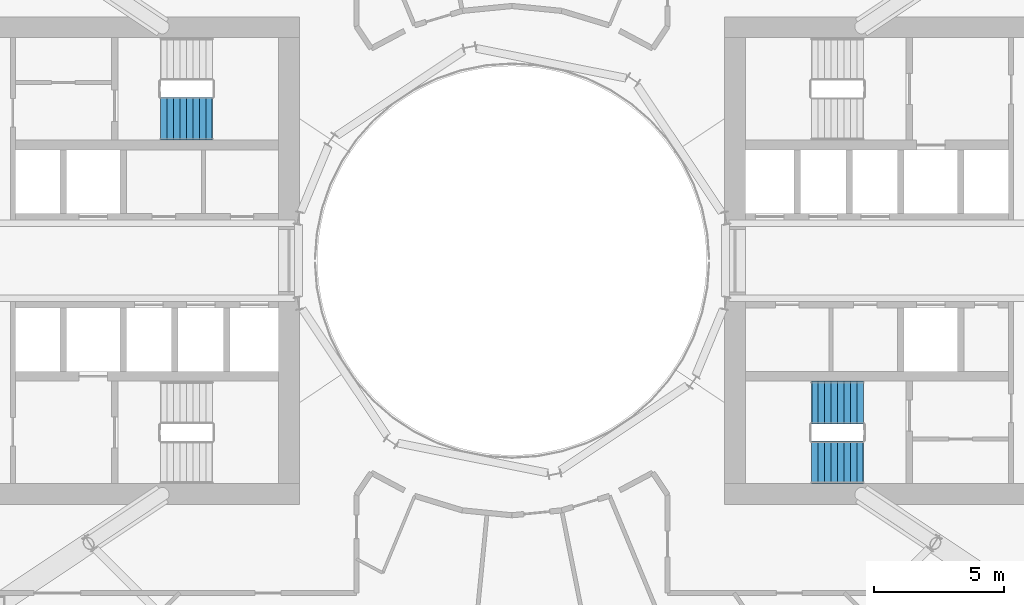
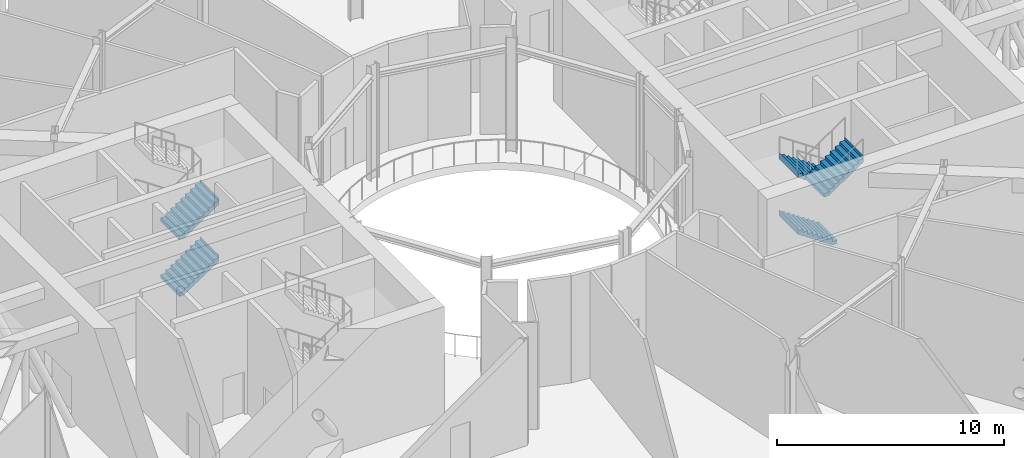
# One storey, part 15 of 22: 5 stair flights, 2 elements without a shape of their own.
"""IFC4 building model written with IfcOpenShell, lengths in metres."""

import ifcopenshell
import ifcopenshell.guid

model = None  # the IFC model being written
_history = None  # IfcOwnerHistory: only IFC2X3 demands one
_inside = {}  # id of a spatial element -> (the spatial element, [elements in it])
_under = {}  # id of a project, library or spatial element -> (it, [spatial elements below it])
_declared = {}  # id of a project -> (the project, [libraries it declares])
_typed = {}  # id of a type object -> (the type object, [elements of that type])
_made_of = {}  # id of a material, layer set ... -> (it, [elements and type objects made of it])


def new_model(schema):
    """Start an empty IFC model of exactly this schema.

    Asked for "IFC4X3", IfcOpenShell would pick the latest addendum, in which some entities
    have other attributes; the version numbers below select the first issue.
    IFC2X3 requires an IfcOwnerHistory on every rooted entity: one is made here for all.
    """
    global model, _history
    if schema == "IFC4X3":
        model = ifcopenshell.file(schema_version=(4, 3, 0, 0))
    else:
        model = ifcopenshell.file(schema=schema)
    _inside.clear()
    _under.clear()
    _declared.clear()
    _typed.clear()
    _made_of.clear()
    _history = None
    if model.schema == "IFC2X3":
        org = make("IfcOrganization", Name="unknown")
        user = make(
            "IfcPersonAndOrganization",
            ThePerson=make("IfcPerson", FamilyName="unknown"),
            TheOrganization=org,
        )
        app = make(
            "IfcApplication",
            ApplicationDeveloper=org,
            Version="unknown",
            ApplicationFullName="unknown",
            ApplicationIdentifier="unknown",
        )
        _history = make(
            "IfcOwnerHistory",
            OwningUser=user,
            OwningApplication=app,
            ChangeAction="ADDED",
            CreationDate=0,
        )
    return model


def make(cls, **values):
    """One entity of the class cls with the attributes given. An attribute that is None is left unset."""
    return model.create_entity(
        cls, **{name: value for name, value in values.items() if value is not None}
    )


def rooted(cls, **values):
    """An entity with a GlobalId (a new one), such as an element, a storey or a relation."""
    return make(cls, GlobalId=ifcopenshell.guid.new(), OwnerHistory=_history, **values)


def si_unit(unit_type, name, prefix=None):
    """IfcSIUnit, for example si_unit("LENGTHUNIT", "METRE", prefix="MILLI")."""
    return make("IfcSIUnit", UnitType=unit_type, Prefix=prefix, Name=name)


def assignment(units):
    """IfcUnitAssignment: the units of a project."""
    return None if units is None else make("IfcUnitAssignment", Units=units)


def point(xyz):
    """IfcCartesianPoint."""
    return None if xyz is None else make("IfcCartesianPoint", Coordinates=xyz)


def direction(xyz):
    """IfcDirection."""
    return None if xyz is None else make("IfcDirection", DirectionRatios=xyz)


def frame(location, z_axis=None, x_axis=None):
    """IfcAxis2Placement3D, a coordinate frame: its origin and axes. An axis left out is left unset."""
    return make(
        "IfcAxis2Placement3D",
        Location=point(location),
        Axis=direction(z_axis),
        RefDirection=direction(x_axis),
    )


def origin():
    """The frame at (0, 0, 0) with its axes left unset."""
    return frame((0.0, 0.0, 0.0))


def place(relative_to, where):
    """IfcLocalPlacement: puts the frame where relative to a parent placement (None: the world)."""
    return make(
        "IfcLocalPlacement", PlacementRelTo=relative_to, RelativePlacement=where
    )


def context(
    kind, dimensions, precision=None, world=None, true_north=None, identifier=None
):
    """IfcGeometricRepresentationContext, for example the 3D "Model" context."""
    return make(
        "IfcGeometricRepresentationContext",
        ContextIdentifier=identifier,
        ContextType=kind,
        CoordinateSpaceDimension=dimensions,
        Precision=precision,
        WorldCoordinateSystem=world,
        TrueNorth=true_north,
    )


def subcontext(parent, identifier, kind, view, scale=None):
    """IfcGeometricRepresentationSubContext, for example "Body" below "Model"."""
    return make(
        "IfcGeometricRepresentationSubContext",
        ContextIdentifier=identifier,
        ContextType=kind,
        ParentContext=parent,
        TargetScale=scale,
        TargetView=view,
    )


def project(units=None, contexts=None):
    """IfcProject with its units and contexts."""
    return rooted(
        "IfcProject",
        Name="project",
        RepresentationContexts=contexts,
        UnitsInContext=assignment(units),
    )


def spatial(cls, under=None, at=None, **own):
    """A site, building, storey or space (cls), placed at a placement, below another one or the project."""
    s = rooted(cls, ObjectPlacement=at, **own)
    if under is not None:
        _under.setdefault(under.id(), (under, []))[1].append(s)
    return s


def point_list(points):
    """IfcCartesianPointList2D or 3D."""
    cls = (
        "IfcCartesianPointList2D" if len(points[0]) == 2 else "IfcCartesianPointList3D"
    )
    return make(cls, CoordList=points)


def triangles(points, corners, closed=None, point_numbers=None):
    """IfcTriangulatedFaceSet: each triangle names its three corners, points numbered from 1."""
    return make(
        "IfcTriangulatedFaceSet",
        Coordinates=point_list(points),
        Closed=closed,
        CoordIndex=corners,
        PnIndex=point_numbers,
    )


def shape(context_of_items, identifier, shape_type, items):
    """IfcShapeRepresentation: the items that make up one representation, for example the "Body"."""
    return make(
        "IfcShapeRepresentation",
        ContextOfItems=context_of_items,
        RepresentationIdentifier=identifier,
        RepresentationType=shape_type,
        Items=items,
    )


def material(Name=None, Category=None):
    """IfcMaterial."""
    return make("IfcMaterial", Name=Name, Category=Category)


def made_of(thing, what):
    """Note that an element or type object is made of a material, layer set ...; save() writes the relation."""
    if what is not None:
        _made_of.setdefault(what.id(), (what, []))[1].append(thing)
    return thing


def type_object(cls, material=None, **own):
    """A type object (cls), such as IfcWallType, which elements share."""
    return made_of(rooted(cls, **own), material)


def element(
    cls,
    number,
    at=None,
    inside=None,
    cuts=None,
    type_object=None,
    material=None,
    context=None,
    identifier="Body",
    shape_type=None,
    held_by="IfcProductDefinitionShape",
    body=None,
    shapes=None,
    **own,
):
    """One element of the class cls, such as IfcWall. Its Tag is "e" and its number.

    at: its placement. inside: the storey or other place that contains it. cuts: it is an
    opening in that element (IfcRelVoidsElement). A single representation is given by context,
    identifier, shape_type and body (its items); several are given by shapes. held_by: the class
    of the entity that holds the representations. save() writes the other relations.
    """
    e = rooted(cls, Tag="e%d" % number, ObjectPlacement=at, **own)
    if body is not None:
        shapes = [shape(context, identifier, shape_type, body)]
    if shapes is not None:
        e.Representation = make(held_by, Representations=shapes)
    if inside is not None:
        _inside.setdefault(inside.id(), (inside, []))[1].append(e)
    if cuts is not None:
        rooted(
            "IfcRelVoidsElement", RelatingBuildingElement=cuts, RelatedOpeningElement=e
        )
    if type_object is not None:
        _typed.setdefault(type_object.id(), (type_object, []))[1].append(e)
    return made_of(e, material)


def aggregate(whole, parts):
    """IfcRelAggregates: a whole, such as a stair, and the parts it consists of."""
    return rooted("IfcRelAggregates", RelatingObject=whole, RelatedObjects=parts)


def save(model, path):
    """Write the relations noted so far, then the file.

    IfcRelAggregates (storeys below a building ...), IfcRelContainedInSpatialStructure (elements
    in a storey), IfcRelDefinesByType, IfcRelAssociatesMaterial and IfcRelDeclares: one each for
    every whole, place, type object, material and project.
    """
    for whole, parts in _under.values():
        aggregate(whole, parts)
    for where, things in _inside.values():
        rooted(
            "IfcRelContainedInSpatialStructure",
            RelatedElements=things,
            RelatingStructure=where,
        )
    for kind, things in _typed.values():
        rooted("IfcRelDefinesByType", RelatedObjects=things, RelatingType=kind)
    for what, things in _made_of.values():
        rooted("IfcRelAssociatesMaterial", RelatedObjects=things, RelatingMaterial=what)
    for by, libraries in _declared.values():
        rooted("IfcRelDeclares", RelatingContext=by, RelatedDefinitions=libraries)
    model.write(path)


model = new_model("IFC4")

# Units and contexts
model_context = context("Model", 3, precision=1e-05, world=origin(), true_north=direction((0.0, 1.0)))
body_context = subcontext(model_context, "Body", "Model", "MODEL_VIEW")
ifc_project = project(units=[si_unit("LENGTHUNIT", "METRE"), si_unit("AREAUNIT", "SQUARE_METRE"), si_unit("VOLUMEUNIT", "CUBIC_METRE"), si_unit("PLANEANGLEUNIT", "RADIAN"), si_unit("MASSUNIT", "GRAM", prefix="KILO")], contexts=[model_context])

# Site, building, storey
site_placement = place(None, origin())
site = spatial("IfcSite", under=ifc_project, at=site_placement, CompositionType="ELEMENT")
building_placement = place(site_placement, origin())
building = spatial("IfcBuilding", under=site, at=building_placement, Name="Maasbend Ring Residences", CompositionType="ELEMENT")
storey_placement = place(building_placement, frame((0.0, 0.0, 57.5)))
storey = spatial("IfcBuildingStorey", under=building, at=storey_placement, Name="L16", CompositionType="ELEMENT", Elevation=57.5)

# Stair, stair flights
ifc_material_1 = material(Name="Concrete C40/50", Category="concrete")
stair_type = type_object("IfcStairType", Name="CORE STAIR 36 RISERS", PredefinedType="HALF_TURN_STAIR", material=ifc_material_1)
stair_1_placement = place(storey_placement, origin())
stair_1 = element("IfcStair", 1, at=stair_1_placement, inside=storey, type_object=stair_type, Name="L16 Exit stair ST-E2", PredefinedType="HALF_TURN_STAIR")
ifc_material_2 = material(Name="Concrete C40/50", Category="concrete")
stair_flight_type = type_object("IfcStairFlightType", Name="CORE STAIR FLIGHT 1650", PredefinedType="STRAIGHT", material=ifc_material_2)
stair_flight_1_placement = place(storey_placement, frame((13.550048828125, -5.47509765625, 0.0), z_axis=(0.0, 0.0, 1.0), x_axis=(-1.0, 0.0, 0.0)))
stair_flight_1 = element("IfcStairFlight", 2, at=stair_flight_1_placement, type_object=stair_flight_type, Name="ST-E2 flight 1", NumberOfRisers=9, NumberOfTreads=8, PredefinedType="STRAIGHT", RiserHeight=0.169444444, TreadLength=0.25, context=body_context, shape_type="Tessellation", body=[
    triangles([(0.24072265625, 0.824951171875, -0.02001953125), (2.0029296875, 0.824951171875, 1.174560546875), (2.0029296875, 0.824951171875, 1.52490234375), (1.989990234375, 0.824951171875, 1.35546875), (1.75, 0.824951171875, 1.35546875), (1.75, 0.824951171875, 1.18603515625), (1.5, 0.824951171875, 1.18603515625), (1.5, 0.824951171875, 1.0166015625), (1.25, 0.824951171875, 1.0166015625), (1.25, 0.824951171875, 0.84716796875), (1.0, 0.824951171875, 0.84716796875), (1.0, 0.824951171875, 0.677734375), (0.75, 0.824951171875, 0.677734375), (0.75, 0.824951171875, 0.50830078125), (0.5, 0.824951171875, 0.50830078125), (0.5, 0.824951171875, 0.3388671875), (0.25, 0.824951171875, 0.3388671875), (0.25, 0.824951171875, 0.16943359375), (0.0, 0.824951171875, 0.16943359375), (0.0, 0.824951171875, 0.0), (-0.0029296875, 0.824951171875, 0.0), (-0.0029296875, 0.824951171875, -0.02001953125), (0.24072265625, 0.27490234375, -0.02001953125), (2.0029296875, 0.27490234375, 1.174560546875), (2.0029296875, 0.27490234375, 1.52490234375), (1.989990234375, 0.27490234375, 1.35546875), (1.75, 0.27490234375, 1.35546875), (1.75, 0.27490234375, 1.18603515625), (1.5, 0.27490234375, 1.18603515625), (1.5, 0.27490234375, 1.0166015625), (1.25, 0.27490234375, 1.0166015625), (1.25, 0.27490234375, 0.84716796875), (1.0, 0.27490234375, 0.84716796875), (1.0, 0.27490234375, 0.677734375), (0.75, 0.27490234375, 0.677734375), (0.75, 0.27490234375, 0.50830078125), (0.5, 0.27490234375, 0.50830078125), (0.5, 0.27490234375, 0.3388671875), (0.25, 0.27490234375, 0.3388671875), (0.25, 0.27490234375, 0.16943359375), (0.0, 0.27490234375, 0.16943359375), (0.0, 0.27490234375, 0.0), (-0.0029296875, 0.27490234375, 0.0), (-0.0029296875, 0.27490234375, -0.02001953125), (0.24072265625, -0.27490234375, -0.02001953125), (2.0029296875, -0.27490234375, 1.174560546875), (2.0029296875, -0.27490234375, 1.52490234375), (1.989990234375, -0.27490234375, 1.35546875), (1.75, -0.27490234375, 1.35546875), (1.75, -0.27490234375, 1.18603515625), (1.5, -0.27490234375, 1.18603515625), (1.5, -0.27490234375, 1.0166015625), (1.25, -0.27490234375, 1.0166015625), (1.25, -0.27490234375, 0.84716796875), (1.0, -0.27490234375, 0.84716796875), (1.0, -0.27490234375, 0.677734375), (0.75, -0.27490234375, 0.677734375), (0.75, -0.27490234375, 0.50830078125), (0.5, -0.27490234375, 0.50830078125), (0.5, -0.27490234375, 0.3388671875), (0.25, -0.27490234375, 0.3388671875), (0.25, -0.27490234375, 0.16943359375), (0.0, -0.27490234375, 0.16943359375), (0.0, -0.27490234375, 0.0), (-0.0029296875, -0.27490234375, 0.0), (-0.0029296875, -0.27490234375, -0.02001953125), (0.24072265625, -0.824951171875, -0.02001953125), (2.0029296875, -0.824951171875, 1.174560546875), (2.0029296875, -0.824951171875, 1.52490234375), (1.989990234375, -0.824951171875, 1.35546875), (1.75, -0.824951171875, 1.35546875), (1.75, -0.824951171875, 1.18603515625), (1.5, -0.824951171875, 1.18603515625), (1.5, -0.824951171875, 1.0166015625), (1.25, -0.824951171875, 1.0166015625), (1.25, -0.824951171875, 0.84716796875), (1.0, -0.824951171875, 0.84716796875), (1.0, -0.824951171875, 0.677734375), (0.75, -0.824951171875, 0.677734375), (0.75, -0.824951171875, 0.50830078125), (0.5, -0.824951171875, 0.50830078125), (0.5, -0.824951171875, 0.3388671875), (0.25, -0.824951171875, 0.3388671875), (0.25, -0.824951171875, 0.16943359375), (0.0, -0.824951171875, 0.16943359375), (0.0, -0.824951171875, 0.0), (-0.0029296875, -0.824951171875, 0.0), (-0.0029296875, -0.824951171875, -0.02001953125)], [[1, 2, 24], [1, 24, 23], [23, 24, 46], [23, 46, 45], [45, 46, 68], [45, 68, 67], [2, 3, 25], [2, 25, 24], [24, 25, 47], [24, 47, 46], [46, 47, 69], [46, 69, 68], [3, 4, 26], [3, 26, 25], [25, 26, 48], [25, 48, 47], [47, 48, 70], [47, 70, 69], [4, 5, 27], [4, 27, 26], [26, 27, 49], [26, 49, 48], [48, 49, 71], [48, 71, 70], [5, 6, 28], [5, 28, 27], [27, 28, 50], [27, 50, 49], [49, 50, 72], [49, 72, 71], [6, 7, 29], [6, 29, 28], [28, 29, 51], [28, 51, 50], [50, 51, 73], [50, 73, 72], [7, 8, 30], [7, 30, 29], [29, 30, 52], [29, 52, 51], [51, 52, 74], [51, 74, 73], [8, 9, 31], [8, 31, 30], [30, 31, 53], [30, 53, 52], [52, 53, 75], [52, 75, 74], [9, 10, 32], [9, 32, 31], [31, 32, 54], [31, 54, 53], [53, 54, 76], [53, 76, 75], [10, 11, 33], [10, 33, 32], [32, 33, 55], [32, 55, 54], [54, 55, 77], [54, 77, 76], [11, 12, 34], [11, 34, 33], [33, 34, 56], [33, 56, 55], [55, 56, 78], [55, 78, 77], [12, 13, 35], [12, 35, 34], [34, 35, 57], [34, 57, 56], [56, 57, 79], [56, 79, 78], [13, 14, 36], [13, 36, 35], [35, 36, 58], [35, 58, 57], [57, 58, 80], [57, 80, 79], [14, 15, 37], [14, 37, 36], [36, 37, 59], [36, 59, 58], [58, 59, 81], [58, 81, 80], [15, 16, 38], [15, 38, 37], [37, 38, 60], [37, 60, 59], [59, 60, 82], [59, 82, 81], [16, 17, 39], [16, 39, 38], [38, 39, 61], [38, 61, 60], [60, 61, 83], [60, 83, 82], [17, 18, 40], [17, 40, 39], [39, 40, 62], [39, 62, 61], [61, 62, 84], [61, 84, 83], [18, 19, 41], [18, 41, 40], [40, 41, 63], [40, 63, 62], [62, 63, 85], [62, 85, 84], [19, 20, 42], [19, 42, 41], [41, 42, 64], [41, 64, 63], [63, 64, 86], [63, 86, 85], [20, 21, 43], [20, 43, 42], [42, 43, 65], [42, 65, 64], [64, 65, 87], [64, 87, 86], [21, 22, 44], [21, 44, 43], [43, 44, 66], [43, 66, 65], [65, 66, 88], [65, 88, 87], [22, 1, 23], [22, 23, 44], [44, 23, 45], [44, 45, 66], [66, 45, 67], [66, 67, 88], [22, 2, 1], [2, 4, 3], [2, 5, 4], [2, 6, 5], [22, 6, 2], [6, 8, 7], [22, 8, 6], [8, 10, 9], [22, 10, 8], [10, 12, 11], [22, 12, 10], [12, 14, 13], [22, 14, 12], [14, 16, 15], [22, 16, 14], [16, 18, 17], [22, 18, 16], [18, 20, 19], [22, 20, 18], [20, 22, 21], [88, 67, 68], [68, 69, 70], [68, 70, 71], [68, 71, 72], [88, 68, 72], [72, 73, 74], [88, 72, 74], [74, 75, 76], [88, 74, 76], [76, 77, 78], [88, 76, 78], [78, 79, 80], [88, 78, 80], [80, 81, 82], [88, 80, 82], [82, 83, 84], [88, 82, 84], [84, 85, 86], [88, 84, 86], [86, 87, 88]], closed=True),
])
stair_flight_2_placement = place(storey_placement, frame((13.550048828125, -5.47509765625, 3.050048828125), z_axis=(0.0, 0.0, 1.0), x_axis=(-1.0, 0.0, 0.0)))
stair_flight_2 = element("IfcStairFlight", 3, at=stair_flight_2_placement, type_object=stair_flight_type, Name="ST-E2 flight 3", NumberOfRisers=9, NumberOfTreads=8, PredefinedType="STRAIGHT", RiserHeight=0.169444444, TreadLength=0.25, context=body_context, shape_type="Tessellation", body=[
    triangles([(0.24072265625, 0.824951171875, -0.02001953125), (2.0029296875, 0.824951171875, 1.174560546875), (2.0029296875, 0.824951171875, 1.52490234375), (1.989990234375, 0.824951171875, 1.35546875), (1.75, 0.824951171875, 1.35546875), (1.75, 0.824951171875, 1.18603515625), (1.5, 0.824951171875, 1.18603515625), (1.5, 0.824951171875, 1.0166015625), (1.25, 0.824951171875, 1.0166015625), (1.25, 0.824951171875, 0.84716796875), (1.0, 0.824951171875, 0.84716796875), (1.0, 0.824951171875, 0.677734375), (0.75, 0.824951171875, 0.677734375), (0.75, 0.824951171875, 0.50830078125), (0.5, 0.824951171875, 0.50830078125), (0.5, 0.824951171875, 0.3388671875), (0.25, 0.824951171875, 0.3388671875), (0.25, 0.824951171875, 0.16943359375), (0.0, 0.824951171875, 0.16943359375), (0.0, 0.824951171875, 0.0), (-0.0029296875, 0.824951171875, 0.0), (-0.0029296875, 0.824951171875, -0.02001953125), (0.24072265625, 0.27490234375, -0.02001953125), (2.0029296875, 0.27490234375, 1.174560546875), (2.0029296875, 0.27490234375, 1.52490234375), (1.989990234375, 0.27490234375, 1.35546875), (1.75, 0.27490234375, 1.35546875), (1.75, 0.27490234375, 1.18603515625), (1.5, 0.27490234375, 1.18603515625), (1.5, 0.27490234375, 1.0166015625), (1.25, 0.27490234375, 1.0166015625), (1.25, 0.27490234375, 0.84716796875), (1.0, 0.27490234375, 0.84716796875), (1.0, 0.27490234375, 0.677734375), (0.75, 0.27490234375, 0.677734375), (0.75, 0.27490234375, 0.50830078125), (0.5, 0.27490234375, 0.50830078125), (0.5, 0.27490234375, 0.3388671875), (0.25, 0.27490234375, 0.3388671875), (0.25, 0.27490234375, 0.16943359375), (0.0, 0.27490234375, 0.16943359375), (0.0, 0.27490234375, 0.0), (-0.0029296875, 0.27490234375, 0.0), (-0.0029296875, 0.27490234375, -0.02001953125), (0.24072265625, -0.27490234375, -0.02001953125), (2.0029296875, -0.27490234375, 1.174560546875), (2.0029296875, -0.27490234375, 1.52490234375), (1.989990234375, -0.27490234375, 1.35546875), (1.75, -0.27490234375, 1.35546875), (1.75, -0.27490234375, 1.18603515625), (1.5, -0.27490234375, 1.18603515625), (1.5, -0.27490234375, 1.0166015625), (1.25, -0.27490234375, 1.0166015625), (1.25, -0.27490234375, 0.84716796875), (1.0, -0.27490234375, 0.84716796875), (1.0, -0.27490234375, 0.677734375), (0.75, -0.27490234375, 0.677734375), (0.75, -0.27490234375, 0.50830078125), (0.5, -0.27490234375, 0.50830078125), (0.5, -0.27490234375, 0.3388671875), (0.25, -0.27490234375, 0.3388671875), (0.25, -0.27490234375, 0.16943359375), (0.0, -0.27490234375, 0.16943359375), (0.0, -0.27490234375, 0.0), (-0.0029296875, -0.27490234375, 0.0), (-0.0029296875, -0.27490234375, -0.02001953125), (0.24072265625, -0.824951171875, -0.02001953125), (2.0029296875, -0.824951171875, 1.174560546875), (2.0029296875, -0.824951171875, 1.52490234375), (1.989990234375, -0.824951171875, 1.35546875), (1.75, -0.824951171875, 1.35546875), (1.75, -0.824951171875, 1.18603515625), (1.5, -0.824951171875, 1.18603515625), (1.5, -0.824951171875, 1.0166015625), (1.25, -0.824951171875, 1.0166015625), (1.25, -0.824951171875, 0.84716796875), (1.0, -0.824951171875, 0.84716796875), (1.0, -0.824951171875, 0.677734375), (0.75, -0.824951171875, 0.677734375), (0.75, -0.824951171875, 0.50830078125), (0.5, -0.824951171875, 0.50830078125), (0.5, -0.824951171875, 0.3388671875), (0.25, -0.824951171875, 0.3388671875), (0.25, -0.824951171875, 0.16943359375), (0.0, -0.824951171875, 0.16943359375), (0.0, -0.824951171875, 0.0), (-0.0029296875, -0.824951171875, 0.0), (-0.0029296875, -0.824951171875, -0.02001953125)], [[1, 2, 24], [1, 24, 23], [23, 24, 46], [23, 46, 45], [45, 46, 68], [45, 68, 67], [2, 3, 25], [2, 25, 24], [24, 25, 47], [24, 47, 46], [46, 47, 69], [46, 69, 68], [3, 4, 26], [3, 26, 25], [25, 26, 48], [25, 48, 47], [47, 48, 70], [47, 70, 69], [4, 5, 27], [4, 27, 26], [26, 27, 49], [26, 49, 48], [48, 49, 71], [48, 71, 70], [5, 6, 28], [5, 28, 27], [27, 28, 50], [27, 50, 49], [49, 50, 72], [49, 72, 71], [6, 7, 29], [6, 29, 28], [28, 29, 51], [28, 51, 50], [50, 51, 73], [50, 73, 72], [7, 8, 30], [7, 30, 29], [29, 30, 52], [29, 52, 51], [51, 52, 74], [51, 74, 73], [8, 9, 31], [8, 31, 30], [30, 31, 53], [30, 53, 52], [52, 53, 75], [52, 75, 74], [9, 10, 32], [9, 32, 31], [31, 32, 54], [31, 54, 53], [53, 54, 76], [53, 76, 75], [10, 11, 33], [10, 33, 32], [32, 33, 55], [32, 55, 54], [54, 55, 77], [54, 77, 76], [11, 12, 34], [11, 34, 33], [33, 34, 56], [33, 56, 55], [55, 56, 78], [55, 78, 77], [12, 13, 35], [12, 35, 34], [34, 35, 57], [34, 57, 56], [56, 57, 79], [56, 79, 78], [13, 14, 36], [13, 36, 35], [35, 36, 58], [35, 58, 57], [57, 58, 80], [57, 80, 79], [14, 15, 37], [14, 37, 36], [36, 37, 59], [36, 59, 58], [58, 59, 81], [58, 81, 80], [15, 16, 38], [15, 38, 37], [37, 38, 60], [37, 60, 59], [59, 60, 82], [59, 82, 81], [16, 17, 39], [16, 39, 38], [38, 39, 61], [38, 61, 60], [60, 61, 83], [60, 83, 82], [17, 18, 40], [17, 40, 39], [39, 40, 62], [39, 62, 61], [61, 62, 84], [61, 84, 83], [18, 19, 41], [18, 41, 40], [40, 41, 63], [40, 63, 62], [62, 63, 85], [62, 85, 84], [19, 20, 42], [19, 42, 41], [41, 42, 64], [41, 64, 63], [63, 64, 86], [63, 86, 85], [20, 21, 43], [20, 43, 42], [42, 43, 65], [42, 65, 64], [64, 65, 87], [64, 87, 86], [21, 22, 44], [21, 44, 43], [43, 44, 66], [43, 66, 65], [65, 66, 88], [65, 88, 87], [22, 1, 23], [22, 23, 44], [44, 23, 45], [44, 45, 66], [66, 45, 67], [66, 67, 88], [22, 2, 1], [2, 4, 3], [2, 5, 4], [2, 6, 5], [22, 6, 2], [6, 8, 7], [22, 8, 6], [8, 10, 9], [22, 10, 8], [10, 12, 11], [22, 12, 10], [12, 14, 13], [22, 14, 12], [14, 16, 15], [22, 16, 14], [16, 18, 17], [22, 18, 16], [18, 20, 19], [22, 20, 18], [20, 22, 21], [88, 67, 68], [68, 69, 70], [68, 70, 71], [68, 71, 72], [88, 68, 72], [72, 73, 74], [88, 72, 74], [74, 75, 76], [88, 74, 76], [76, 77, 78], [88, 76, 78], [78, 79, 80], [88, 78, 80], [80, 81, 82], [88, 80, 82], [82, 83, 84], [88, 82, 84], [84, 85, 86], [88, 84, 86], [86, 87, 88]], closed=True),
])
stair_flight_3_placement = place(storey_placement, frame((11.550048828125, -7.77490234375, 4.574951171875), z_axis=(0.0, 0.0, 1.0), x_axis=(1.0, 0.0, 0.0)))
stair_flight_3 = element("IfcStairFlight", 4, at=stair_flight_3_placement, type_object=stair_flight_type, Name="ST-E2 flight 4", NumberOfRisers=9, NumberOfTreads=8, PredefinedType="STRAIGHT", RiserHeight=0.169444444, TreadLength=0.25, context=body_context, shape_type="Tessellation", body=[
    triangles([(0.24072265625, 0.824951171875, -0.02001953125), (2.0029296875, 0.824951171875, 1.174560546875), (2.0029296875, 0.824951171875, 1.52490234375), (1.989990234375, 0.824951171875, 1.35546875), (1.75, 0.824951171875, 1.35546875), (1.75, 0.824951171875, 1.18603515625), (1.5, 0.824951171875, 1.18603515625), (1.5, 0.824951171875, 1.0166015625), (1.25, 0.824951171875, 1.0166015625), (1.25, 0.824951171875, 0.84716796875), (1.0, 0.824951171875, 0.84716796875), (1.0, 0.824951171875, 0.677734375), (0.75, 0.824951171875, 0.677734375), (0.75, 0.824951171875, 0.50830078125), (0.5, 0.824951171875, 0.50830078125), (0.5, 0.824951171875, 0.3388671875), (0.25, 0.824951171875, 0.3388671875), (0.25, 0.824951171875, 0.16943359375), (0.0, 0.824951171875, 0.16943359375), (0.0, 0.824951171875, 0.0), (-0.0029296875, 0.824951171875, 0.0), (-0.0029296875, 0.824951171875, -0.02001953125), (0.24072265625, 0.27490234375, -0.02001953125), (2.0029296875, 0.27490234375, 1.174560546875), (2.0029296875, 0.27490234375, 1.52490234375), (1.989990234375, 0.27490234375, 1.35546875), (1.75, 0.27490234375, 1.35546875), (1.75, 0.27490234375, 1.18603515625), (1.5, 0.27490234375, 1.18603515625), (1.5, 0.27490234375, 1.0166015625), (1.25, 0.27490234375, 1.0166015625), (1.25, 0.27490234375, 0.84716796875), (1.0, 0.27490234375, 0.84716796875), (1.0, 0.27490234375, 0.677734375), (0.75, 0.27490234375, 0.677734375), (0.75, 0.27490234375, 0.50830078125), (0.5, 0.27490234375, 0.50830078125), (0.5, 0.27490234375, 0.3388671875), (0.25, 0.27490234375, 0.3388671875), (0.25, 0.27490234375, 0.16943359375), (0.0, 0.27490234375, 0.16943359375), (0.0, 0.27490234375, 0.0), (-0.0029296875, 0.27490234375, 0.0), (-0.0029296875, 0.27490234375, -0.02001953125), (0.24072265625, -0.27490234375, -0.02001953125), (2.0029296875, -0.27490234375, 1.174560546875), (2.0029296875, -0.27490234375, 1.52490234375), (1.989990234375, -0.27490234375, 1.35546875), (1.75, -0.27490234375, 1.35546875), (1.75, -0.27490234375, 1.18603515625), (1.5, -0.27490234375, 1.18603515625), (1.5, -0.27490234375, 1.0166015625), (1.25, -0.27490234375, 1.0166015625), (1.25, -0.27490234375, 0.84716796875), (1.0, -0.27490234375, 0.84716796875), (1.0, -0.27490234375, 0.677734375), (0.75, -0.27490234375, 0.677734375), (0.75, -0.27490234375, 0.50830078125), (0.5, -0.27490234375, 0.50830078125), (0.5, -0.27490234375, 0.3388671875), (0.25, -0.27490234375, 0.3388671875), (0.25, -0.27490234375, 0.16943359375), (0.0, -0.27490234375, 0.16943359375), (0.0, -0.27490234375, 0.0), (-0.0029296875, -0.27490234375, 0.0), (-0.0029296875, -0.27490234375, -0.02001953125), (0.24072265625, -0.824951171875, -0.02001953125), (2.0029296875, -0.824951171875, 1.174560546875), (2.0029296875, -0.824951171875, 1.52490234375), (1.989990234375, -0.824951171875, 1.35546875), (1.75, -0.824951171875, 1.35546875), (1.75, -0.824951171875, 1.18603515625), (1.5, -0.824951171875, 1.18603515625), (1.5, -0.824951171875, 1.0166015625), (1.25, -0.824951171875, 1.0166015625), (1.25, -0.824951171875, 0.84716796875), (1.0, -0.824951171875, 0.84716796875), (1.0, -0.824951171875, 0.677734375), (0.75, -0.824951171875, 0.677734375), (0.75, -0.824951171875, 0.50830078125), (0.5, -0.824951171875, 0.50830078125), (0.5, -0.824951171875, 0.3388671875), (0.25, -0.824951171875, 0.3388671875), (0.25, -0.824951171875, 0.16943359375), (0.0, -0.824951171875, 0.16943359375), (0.0, -0.824951171875, 0.0), (-0.0029296875, -0.824951171875, 0.0), (-0.0029296875, -0.824951171875, -0.02001953125)], [[1, 2, 24], [1, 24, 23], [23, 24, 46], [23, 46, 45], [45, 46, 68], [45, 68, 67], [2, 3, 25], [2, 25, 24], [24, 25, 47], [24, 47, 46], [46, 47, 69], [46, 69, 68], [3, 4, 26], [3, 26, 25], [25, 26, 48], [25, 48, 47], [47, 48, 70], [47, 70, 69], [4, 5, 27], [4, 27, 26], [26, 27, 49], [26, 49, 48], [48, 49, 71], [48, 71, 70], [5, 6, 28], [5, 28, 27], [27, 28, 50], [27, 50, 49], [49, 50, 72], [49, 72, 71], [6, 7, 29], [6, 29, 28], [28, 29, 51], [28, 51, 50], [50, 51, 73], [50, 73, 72], [7, 8, 30], [7, 30, 29], [29, 30, 52], [29, 52, 51], [51, 52, 74], [51, 74, 73], [8, 9, 31], [8, 31, 30], [30, 31, 53], [30, 53, 52], [52, 53, 75], [52, 75, 74], [9, 10, 32], [9, 32, 31], [31, 32, 54], [31, 54, 53], [53, 54, 76], [53, 76, 75], [10, 11, 33], [10, 33, 32], [32, 33, 55], [32, 55, 54], [54, 55, 77], [54, 77, 76], [11, 12, 34], [11, 34, 33], [33, 34, 56], [33, 56, 55], [55, 56, 78], [55, 78, 77], [12, 13, 35], [12, 35, 34], [34, 35, 57], [34, 57, 56], [56, 57, 79], [56, 79, 78], [13, 14, 36], [13, 36, 35], [35, 36, 58], [35, 58, 57], [57, 58, 80], [57, 80, 79], [14, 15, 37], [14, 37, 36], [36, 37, 59], [36, 59, 58], [58, 59, 81], [58, 81, 80], [15, 16, 38], [15, 38, 37], [37, 38, 60], [37, 60, 59], [59, 60, 82], [59, 82, 81], [16, 17, 39], [16, 39, 38], [38, 39, 61], [38, 61, 60], [60, 61, 83], [60, 83, 82], [17, 18, 40], [17, 40, 39], [39, 40, 62], [39, 62, 61], [61, 62, 84], [61, 84, 83], [18, 19, 41], [18, 41, 40], [40, 41, 63], [40, 63, 62], [62, 63, 85], [62, 85, 84], [19, 20, 42], [19, 42, 41], [41, 42, 64], [41, 64, 63], [63, 64, 86], [63, 86, 85], [20, 21, 43], [20, 43, 42], [42, 43, 65], [42, 65, 64], [64, 65, 87], [64, 87, 86], [21, 22, 44], [21, 44, 43], [43, 44, 66], [43, 66, 65], [65, 66, 88], [65, 88, 87], [22, 1, 23], [22, 23, 44], [44, 23, 45], [44, 45, 66], [66, 45, 67], [66, 67, 88], [22, 2, 1], [2, 4, 3], [2, 5, 4], [2, 6, 5], [22, 6, 2], [6, 8, 7], [22, 8, 6], [8, 10, 9], [22, 10, 8], [10, 12, 11], [22, 12, 10], [12, 14, 13], [22, 14, 12], [14, 16, 15], [22, 16, 14], [16, 18, 17], [22, 18, 16], [18, 20, 19], [22, 20, 18], [20, 22, 21], [88, 67, 68], [68, 69, 70], [68, 70, 71], [68, 71, 72], [88, 68, 72], [72, 73, 74], [88, 72, 74], [74, 75, 76], [88, 74, 76], [76, 77, 78], [88, 76, 78], [78, 79, 80], [88, 78, 80], [80, 81, 82], [88, 80, 82], [82, 83, 84], [88, 82, 84], [84, 85, 86], [88, 84, 86], [86, 87, 88]], closed=True),
])
aggregate(stair_1, [stair_flight_1, stair_flight_2, stair_flight_3])

stair_2_placement = place(storey_placement, origin())
stair_2 = element("IfcStair", 5, at=stair_2_placement, inside=storey, type_object=stair_type, Name="L16 Exit stair ST-W2", PredefinedType="HALF_TURN_STAIR")
stair_flight_4_placement = place(storey_placement, frame((-13.550048828125, 5.47509765625, 0.0), z_axis=(0.0, 0.0, 1.0), x_axis=(1.0, 0.0, 0.0)))
stair_flight_4 = element("IfcStairFlight", 6, at=stair_flight_4_placement, type_object=stair_flight_type, Name="ST-W2 flight 1", NumberOfRisers=9, NumberOfTreads=8, PredefinedType="STRAIGHT", RiserHeight=0.169444444, TreadLength=0.25, context=body_context, shape_type="Tessellation", body=[
    triangles([(0.24072265625, 0.824951171875, -0.02001953125), (2.0029296875, 0.824951171875, 1.174560546875), (2.0029296875, 0.824951171875, 1.52490234375), (1.989990234375, 0.824951171875, 1.35546875), (1.75, 0.824951171875, 1.35546875), (1.75, 0.824951171875, 1.18603515625), (1.5, 0.824951171875, 1.18603515625), (1.5, 0.824951171875, 1.0166015625), (1.25, 0.824951171875, 1.0166015625), (1.25, 0.824951171875, 0.84716796875), (1.0, 0.824951171875, 0.84716796875), (1.0, 0.824951171875, 0.677734375), (0.75, 0.824951171875, 0.677734375), (0.75, 0.824951171875, 0.50830078125), (0.5, 0.824951171875, 0.50830078125), (0.5, 0.824951171875, 0.3388671875), (0.25, 0.824951171875, 0.3388671875), (0.25, 0.824951171875, 0.16943359375), (0.0, 0.824951171875, 0.16943359375), (0.0, 0.824951171875, 0.0), (-0.0029296875, 0.824951171875, 0.0), (-0.0029296875, 0.824951171875, -0.02001953125), (0.24072265625, 0.27490234375, -0.02001953125), (2.0029296875, 0.27490234375, 1.174560546875), (2.0029296875, 0.27490234375, 1.52490234375), (1.989990234375, 0.27490234375, 1.35546875), (1.75, 0.27490234375, 1.35546875), (1.75, 0.27490234375, 1.18603515625), (1.5, 0.27490234375, 1.18603515625), (1.5, 0.27490234375, 1.0166015625), (1.25, 0.27490234375, 1.0166015625), (1.25, 0.27490234375, 0.84716796875), (1.0, 0.27490234375, 0.84716796875), (1.0, 0.27490234375, 0.677734375), (0.75, 0.27490234375, 0.677734375), (0.75, 0.27490234375, 0.50830078125), (0.5, 0.27490234375, 0.50830078125), (0.5, 0.27490234375, 0.3388671875), (0.25, 0.27490234375, 0.3388671875), (0.25, 0.27490234375, 0.16943359375), (0.0, 0.27490234375, 0.16943359375), (0.0, 0.27490234375, 0.0), (-0.0029296875, 0.27490234375, 0.0), (-0.0029296875, 0.27490234375, -0.02001953125), (0.24072265625, -0.27490234375, -0.02001953125), (2.0029296875, -0.27490234375, 1.174560546875), (2.0029296875, -0.27490234375, 1.52490234375), (1.989990234375, -0.27490234375, 1.35546875), (1.75, -0.27490234375, 1.35546875), (1.75, -0.27490234375, 1.18603515625), (1.5, -0.27490234375, 1.18603515625), (1.5, -0.27490234375, 1.0166015625), (1.25, -0.27490234375, 1.0166015625), (1.25, -0.27490234375, 0.84716796875), (1.0, -0.27490234375, 0.84716796875), (1.0, -0.27490234375, 0.677734375), (0.75, -0.27490234375, 0.677734375), (0.75, -0.27490234375, 0.50830078125), (0.5, -0.27490234375, 0.50830078125), (0.5, -0.27490234375, 0.3388671875), (0.25, -0.27490234375, 0.3388671875), (0.25, -0.27490234375, 0.16943359375), (0.0, -0.27490234375, 0.16943359375), (0.0, -0.27490234375, 0.0), (-0.0029296875, -0.27490234375, 0.0), (-0.0029296875, -0.27490234375, -0.02001953125), (0.24072265625, -0.824951171875, -0.02001953125), (2.0029296875, -0.824951171875, 1.174560546875), (2.0029296875, -0.824951171875, 1.52490234375), (1.989990234375, -0.824951171875, 1.35546875), (1.75, -0.824951171875, 1.35546875), (1.75, -0.824951171875, 1.18603515625), (1.5, -0.824951171875, 1.18603515625), (1.5, -0.824951171875, 1.0166015625), (1.25, -0.824951171875, 1.0166015625), (1.25, -0.824951171875, 0.84716796875), (1.0, -0.824951171875, 0.84716796875), (1.0, -0.824951171875, 0.677734375), (0.75, -0.824951171875, 0.677734375), (0.75, -0.824951171875, 0.50830078125), (0.5, -0.824951171875, 0.50830078125), (0.5, -0.824951171875, 0.3388671875), (0.25, -0.824951171875, 0.3388671875), (0.25, -0.824951171875, 0.16943359375), (0.0, -0.824951171875, 0.16943359375), (0.0, -0.824951171875, 0.0), (-0.0029296875, -0.824951171875, 0.0), (-0.0029296875, -0.824951171875, -0.02001953125)], [[1, 2, 24], [1, 24, 23], [23, 24, 46], [23, 46, 45], [45, 46, 68], [45, 68, 67], [2, 3, 25], [2, 25, 24], [24, 25, 47], [24, 47, 46], [46, 47, 69], [46, 69, 68], [3, 4, 26], [3, 26, 25], [25, 26, 48], [25, 48, 47], [47, 48, 70], [47, 70, 69], [4, 5, 27], [4, 27, 26], [26, 27, 49], [26, 49, 48], [48, 49, 71], [48, 71, 70], [5, 6, 28], [5, 28, 27], [27, 28, 50], [27, 50, 49], [49, 50, 72], [49, 72, 71], [6, 7, 29], [6, 29, 28], [28, 29, 51], [28, 51, 50], [50, 51, 73], [50, 73, 72], [7, 8, 30], [7, 30, 29], [29, 30, 52], [29, 52, 51], [51, 52, 74], [51, 74, 73], [8, 9, 31], [8, 31, 30], [30, 31, 53], [30, 53, 52], [52, 53, 75], [52, 75, 74], [9, 10, 32], [9, 32, 31], [31, 32, 54], [31, 54, 53], [53, 54, 76], [53, 76, 75], [10, 11, 33], [10, 33, 32], [32, 33, 55], [32, 55, 54], [54, 55, 77], [54, 77, 76], [11, 12, 34], [11, 34, 33], [33, 34, 56], [33, 56, 55], [55, 56, 78], [55, 78, 77], [12, 13, 35], [12, 35, 34], [34, 35, 57], [34, 57, 56], [56, 57, 79], [56, 79, 78], [13, 14, 36], [13, 36, 35], [35, 36, 58], [35, 58, 57], [57, 58, 80], [57, 80, 79], [14, 15, 37], [14, 37, 36], [36, 37, 59], [36, 59, 58], [58, 59, 81], [58, 81, 80], [15, 16, 38], [15, 38, 37], [37, 38, 60], [37, 60, 59], [59, 60, 82], [59, 82, 81], [16, 17, 39], [16, 39, 38], [38, 39, 61], [38, 61, 60], [60, 61, 83], [60, 83, 82], [17, 18, 40], [17, 40, 39], [39, 40, 62], [39, 62, 61], [61, 62, 84], [61, 84, 83], [18, 19, 41], [18, 41, 40], [40, 41, 63], [40, 63, 62], [62, 63, 85], [62, 85, 84], [19, 20, 42], [19, 42, 41], [41, 42, 64], [41, 64, 63], [63, 64, 86], [63, 86, 85], [20, 21, 43], [20, 43, 42], [42, 43, 65], [42, 65, 64], [64, 65, 87], [64, 87, 86], [21, 22, 44], [21, 44, 43], [43, 44, 66], [43, 66, 65], [65, 66, 88], [65, 88, 87], [22, 1, 23], [22, 23, 44], [44, 23, 45], [44, 45, 66], [66, 45, 67], [66, 67, 88], [22, 2, 1], [2, 4, 3], [2, 5, 4], [2, 6, 5], [22, 6, 2], [6, 8, 7], [22, 8, 6], [8, 10, 9], [22, 10, 8], [10, 12, 11], [22, 12, 10], [12, 14, 13], [22, 14, 12], [14, 16, 15], [22, 16, 14], [16, 18, 17], [22, 18, 16], [18, 20, 19], [22, 20, 18], [20, 22, 21], [88, 67, 68], [68, 69, 70], [68, 70, 71], [68, 71, 72], [88, 68, 72], [72, 73, 74], [88, 72, 74], [74, 75, 76], [88, 74, 76], [76, 77, 78], [88, 76, 78], [78, 79, 80], [88, 78, 80], [80, 81, 82], [88, 80, 82], [82, 83, 84], [88, 82, 84], [84, 85, 86], [88, 84, 86], [86, 87, 88]], closed=True),
])
stair_flight_5_placement = place(storey_placement, frame((-13.550048828125, 5.47509765625, 3.050048828125), z_axis=(0.0, 0.0, 1.0), x_axis=(1.0, 0.0, 0.0)))
stair_flight_5 = element("IfcStairFlight", 7, at=stair_flight_5_placement, type_object=stair_flight_type, Name="ST-W2 flight 3", NumberOfRisers=9, NumberOfTreads=8, PredefinedType="STRAIGHT", RiserHeight=0.169444444, TreadLength=0.25, context=body_context, shape_type="Tessellation", body=[
    triangles([(0.24072265625, 0.824951171875, -0.02001953125), (2.0029296875, 0.824951171875, 1.174560546875), (2.0029296875, 0.824951171875, 1.52490234375), (1.989990234375, 0.824951171875, 1.35546875), (1.75, 0.824951171875, 1.35546875), (1.75, 0.824951171875, 1.18603515625), (1.5, 0.824951171875, 1.18603515625), (1.5, 0.824951171875, 1.0166015625), (1.25, 0.824951171875, 1.0166015625), (1.25, 0.824951171875, 0.84716796875), (1.0, 0.824951171875, 0.84716796875), (1.0, 0.824951171875, 0.677734375), (0.75, 0.824951171875, 0.677734375), (0.75, 0.824951171875, 0.50830078125), (0.5, 0.824951171875, 0.50830078125), (0.5, 0.824951171875, 0.3388671875), (0.25, 0.824951171875, 0.3388671875), (0.25, 0.824951171875, 0.16943359375), (0.0, 0.824951171875, 0.16943359375), (0.0, 0.824951171875, 0.0), (-0.0029296875, 0.824951171875, 0.0), (-0.0029296875, 0.824951171875, -0.02001953125), (0.24072265625, 0.27490234375, -0.02001953125), (2.0029296875, 0.27490234375, 1.174560546875), (2.0029296875, 0.27490234375, 1.52490234375), (1.989990234375, 0.27490234375, 1.35546875), (1.75, 0.27490234375, 1.35546875), (1.75, 0.27490234375, 1.18603515625), (1.5, 0.27490234375, 1.18603515625), (1.5, 0.27490234375, 1.0166015625), (1.25, 0.27490234375, 1.0166015625), (1.25, 0.27490234375, 0.84716796875), (1.0, 0.27490234375, 0.84716796875), (1.0, 0.27490234375, 0.677734375), (0.75, 0.27490234375, 0.677734375), (0.75, 0.27490234375, 0.50830078125), (0.5, 0.27490234375, 0.50830078125), (0.5, 0.27490234375, 0.3388671875), (0.25, 0.27490234375, 0.3388671875), (0.25, 0.27490234375, 0.16943359375), (0.0, 0.27490234375, 0.16943359375), (0.0, 0.27490234375, 0.0), (-0.0029296875, 0.27490234375, 0.0), (-0.0029296875, 0.27490234375, -0.02001953125), (0.24072265625, -0.27490234375, -0.02001953125), (2.0029296875, -0.27490234375, 1.174560546875), (2.0029296875, -0.27490234375, 1.52490234375), (1.989990234375, -0.27490234375, 1.35546875), (1.75, -0.27490234375, 1.35546875), (1.75, -0.27490234375, 1.18603515625), (1.5, -0.27490234375, 1.18603515625), (1.5, -0.27490234375, 1.0166015625), (1.25, -0.27490234375, 1.0166015625), (1.25, -0.27490234375, 0.84716796875), (1.0, -0.27490234375, 0.84716796875), (1.0, -0.27490234375, 0.677734375), (0.75, -0.27490234375, 0.677734375), (0.75, -0.27490234375, 0.50830078125), (0.5, -0.27490234375, 0.50830078125), (0.5, -0.27490234375, 0.3388671875), (0.25, -0.27490234375, 0.3388671875), (0.25, -0.27490234375, 0.16943359375), (0.0, -0.27490234375, 0.16943359375), (0.0, -0.27490234375, 0.0), (-0.0029296875, -0.27490234375, 0.0), (-0.0029296875, -0.27490234375, -0.02001953125), (0.24072265625, -0.824951171875, -0.02001953125), (2.0029296875, -0.824951171875, 1.174560546875), (2.0029296875, -0.824951171875, 1.52490234375), (1.989990234375, -0.824951171875, 1.35546875), (1.75, -0.824951171875, 1.35546875), (1.75, -0.824951171875, 1.18603515625), (1.5, -0.824951171875, 1.18603515625), (1.5, -0.824951171875, 1.0166015625), (1.25, -0.824951171875, 1.0166015625), (1.25, -0.824951171875, 0.84716796875), (1.0, -0.824951171875, 0.84716796875), (1.0, -0.824951171875, 0.677734375), (0.75, -0.824951171875, 0.677734375), (0.75, -0.824951171875, 0.50830078125), (0.5, -0.824951171875, 0.50830078125), (0.5, -0.824951171875, 0.3388671875), (0.25, -0.824951171875, 0.3388671875), (0.25, -0.824951171875, 0.16943359375), (0.0, -0.824951171875, 0.16943359375), (0.0, -0.824951171875, 0.0), (-0.0029296875, -0.824951171875, 0.0), (-0.0029296875, -0.824951171875, -0.02001953125)], [[1, 2, 24], [1, 24, 23], [23, 24, 46], [23, 46, 45], [45, 46, 68], [45, 68, 67], [2, 3, 25], [2, 25, 24], [24, 25, 47], [24, 47, 46], [46, 47, 69], [46, 69, 68], [3, 4, 26], [3, 26, 25], [25, 26, 48], [25, 48, 47], [47, 48, 70], [47, 70, 69], [4, 5, 27], [4, 27, 26], [26, 27, 49], [26, 49, 48], [48, 49, 71], [48, 71, 70], [5, 6, 28], [5, 28, 27], [27, 28, 50], [27, 50, 49], [49, 50, 72], [49, 72, 71], [6, 7, 29], [6, 29, 28], [28, 29, 51], [28, 51, 50], [50, 51, 73], [50, 73, 72], [7, 8, 30], [7, 30, 29], [29, 30, 52], [29, 52, 51], [51, 52, 74], [51, 74, 73], [8, 9, 31], [8, 31, 30], [30, 31, 53], [30, 53, 52], [52, 53, 75], [52, 75, 74], [9, 10, 32], [9, 32, 31], [31, 32, 54], [31, 54, 53], [53, 54, 76], [53, 76, 75], [10, 11, 33], [10, 33, 32], [32, 33, 55], [32, 55, 54], [54, 55, 77], [54, 77, 76], [11, 12, 34], [11, 34, 33], [33, 34, 56], [33, 56, 55], [55, 56, 78], [55, 78, 77], [12, 13, 35], [12, 35, 34], [34, 35, 57], [34, 57, 56], [56, 57, 79], [56, 79, 78], [13, 14, 36], [13, 36, 35], [35, 36, 58], [35, 58, 57], [57, 58, 80], [57, 80, 79], [14, 15, 37], [14, 37, 36], [36, 37, 59], [36, 59, 58], [58, 59, 81], [58, 81, 80], [15, 16, 38], [15, 38, 37], [37, 38, 60], [37, 60, 59], [59, 60, 82], [59, 82, 81], [16, 17, 39], [16, 39, 38], [38, 39, 61], [38, 61, 60], [60, 61, 83], [60, 83, 82], [17, 18, 40], [17, 40, 39], [39, 40, 62], [39, 62, 61], [61, 62, 84], [61, 84, 83], [18, 19, 41], [18, 41, 40], [40, 41, 63], [40, 63, 62], [62, 63, 85], [62, 85, 84], [19, 20, 42], [19, 42, 41], [41, 42, 64], [41, 64, 63], [63, 64, 86], [63, 86, 85], [20, 21, 43], [20, 43, 42], [42, 43, 65], [42, 65, 64], [64, 65, 87], [64, 87, 86], [21, 22, 44], [21, 44, 43], [43, 44, 66], [43, 66, 65], [65, 66, 88], [65, 88, 87], [22, 1, 23], [22, 23, 44], [44, 23, 45], [44, 45, 66], [66, 45, 67], [66, 67, 88], [22, 2, 1], [2, 4, 3], [2, 5, 4], [2, 6, 5], [22, 6, 2], [6, 8, 7], [22, 8, 6], [8, 10, 9], [22, 10, 8], [10, 12, 11], [22, 12, 10], [12, 14, 13], [22, 14, 12], [14, 16, 15], [22, 16, 14], [16, 18, 17], [22, 18, 16], [18, 20, 19], [22, 20, 18], [20, 22, 21], [88, 67, 68], [68, 69, 70], [68, 70, 71], [68, 71, 72], [88, 68, 72], [72, 73, 74], [88, 72, 74], [74, 75, 76], [88, 74, 76], [76, 77, 78], [88, 76, 78], [78, 79, 80], [88, 78, 80], [80, 81, 82], [88, 80, 82], [82, 83, 84], [88, 82, 84], [84, 85, 86], [88, 84, 86], [86, 87, 88]], closed=True),
])
aggregate(stair_2, [stair_flight_4, stair_flight_5])

save(model, "model.ifc")
